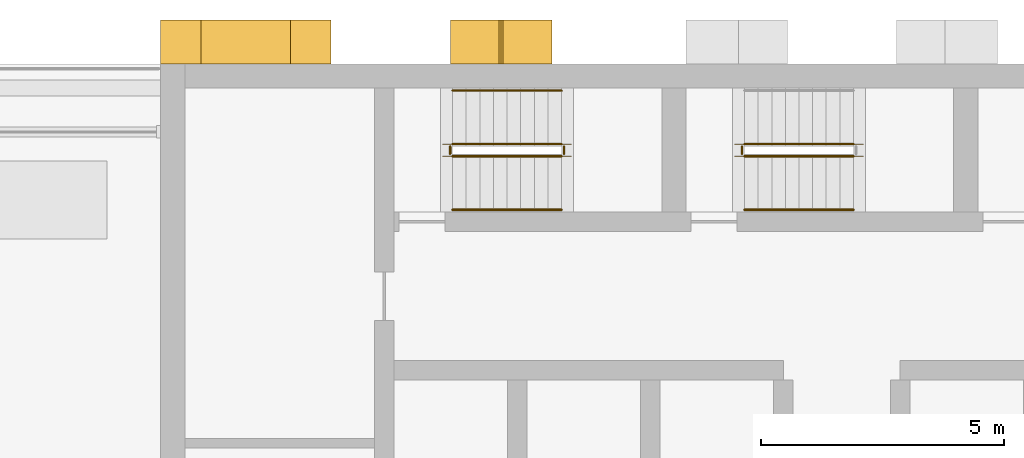
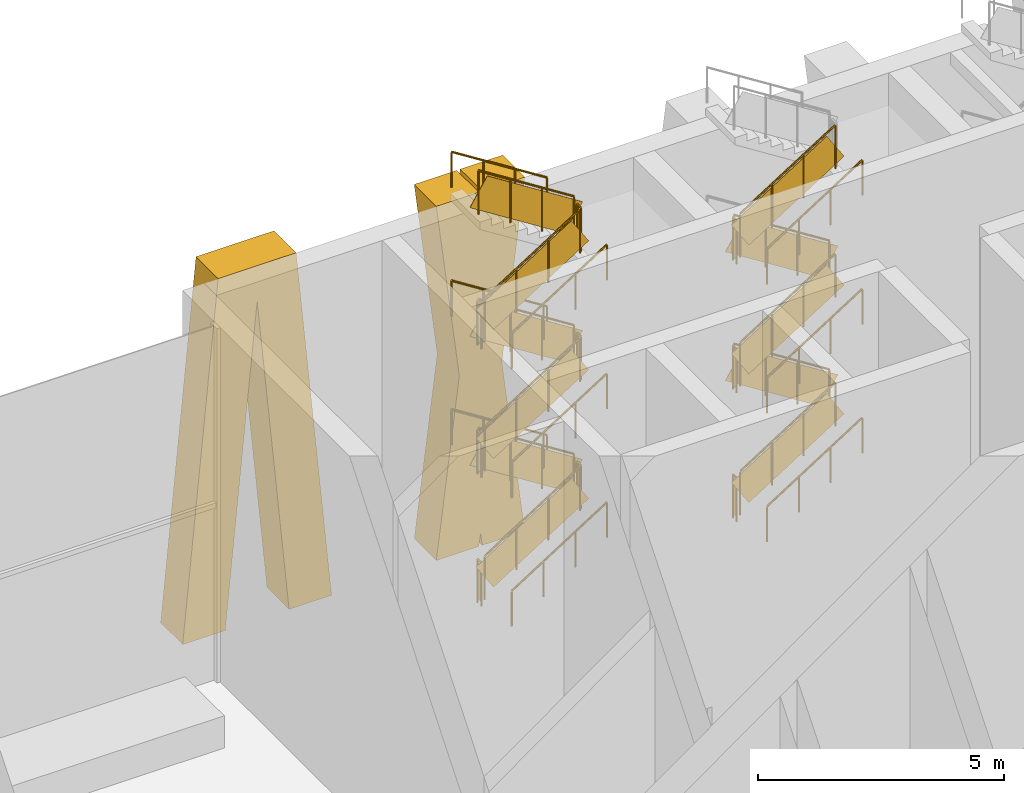
# One storey, part 14 of 16: 29 railings, 2 shading devices.
"""IFC4 building model written with IfcOpenShell, lengths in metres."""

from ifc_helpers import new_model, si_unit, direction, frame, origin, origin_2d, place, context, subcontext, project, spatial, polyline, rectangle, circle, outline, extrude, material, layer, layer_set, type_object, element, save


model = new_model("IFC4")

# Units and contexts
model_context = context("Model", 3, precision=1e-05, world=origin(), true_north=direction((0.0, 1.0)))
body_context = subcontext(model_context, "Body", "Model", "MODEL_VIEW")
ifc_project = project(units=[si_unit("LENGTHUNIT", "METRE"), si_unit("AREAUNIT", "SQUARE_METRE"), si_unit("VOLUMEUNIT", "CUBIC_METRE"), si_unit("PLANEANGLEUNIT", "RADIAN"), si_unit("MASSUNIT", "GRAM", prefix="KILO")], contexts=[model_context])

# Site, building, storey
site_placement = place(None, origin())
site = spatial("IfcSite", under=ifc_project, at=site_placement, CompositionType="ELEMENT")
building_placement = place(site_placement, origin())
building = spatial("IfcBuilding", under=site, at=building_placement, Name="Vidyagriha Tower", CompositionType="ELEMENT")
storey_placement = place(building_placement, frame((0.0, 0.0, 64.0)))
storey = spatial("IfcBuildingStorey", under=building, at=storey_placement, Name="L17", CompositionType="ELEMENT", Elevation=64.0)

# Shading devices
ifc_material_1 = material(Name="Precast concrete C40/50 with brick facing", Category="concrete")
ifc_layer = layer(ifc_material_1, 1.0)
ifc_layer_set = layer_set([ifc_layer], Name="Precast concrete C40/50 with brick facing")
shading_device_type = type_object("IfcShadingDeviceType", Name="Brick-faced rear rib forking 8 degrees", PredefinedType="USERDEFINED", material=ifc_layer_set)
shading_device_1_placement = place(storey_placement, frame((-5.9599609375, 20.449951171875, 0.0), z_axis=(0.0, 0.0, 1.0), x_axis=(-1.0, 0.0, 0.0)))
element("IfcShadingDevice", 1, at=shading_device_1_placement, inside=storey, type_object=shading_device_type, Name="Rear rib fork L17 R08.4a", ObjectType="BLADE FIN", PredefinedType="USERDEFINED", context=body_context, shape_type="SweptSolid", body=[
    extrude(outline(polyline([(1.0, 0.0), (1.0400390625, 0.325927734375), (1.080078125, 0.0), (2.080078125, 0.0), (1.5400390625, 4.39990234375), (2.080078125, 8.800048828125), (1.080078125, 8.800048828125), (1.0400390625, 8.47412109375), (1.0, 8.800048828125), (0.0, 8.800048828125), (0.5400390625, 4.39990234375), (0.0, 0.0), (1.0, 0.0)])), frame((0.0, 0.449951171875, 0.0), z_axis=(0.0, -1.0, 0.0), x_axis=(1.0, 0.0, 0.0)), (0.0, 0.0, 1.0), 0.89990234375),
])
shading_device_2_placement = place(storey_placement, frame((-10.5, 20.449951171875, 0.0), z_axis=(0.0, 0.0, 1.0), x_axis=(-1.0, 0.0, 0.0)))
element("IfcShadingDevice", 2, at=shading_device_2_placement, inside=storey, type_object=shading_device_type, Name="Rear rib fork L17 R08.5a", ObjectType="BLADE FIN", PredefinedType="USERDEFINED", context=body_context, shape_type="SweptSolid", body=[
    extrude(outline(polyline([(1.0, 0.0), (1.75, 7.919921875), (2.5, 0.0), (3.5, 0.0), (2.666748046875, 8.800048828125), (0.833251953125, 8.800048828125), (0.0, 0.0), (1.0, 0.0)])), frame((0.0, 0.449951171875, 0.0), z_axis=(0.0, -1.0, 0.0), x_axis=(1.0, 0.0, 0.0)), (0.0, 0.0, 1.0), 0.89990234375),
])

# Railings
ifc_material_2 = material(Name="Steel ASTM A500 Grade C", Category="steel")
railing_type_1 = type_object("IfcRailingType", Name="Stair guard 1100 mm, steel balustrade", PredefinedType="GUARDRAIL", material=ifc_material_2)
railing_1_placement = place(storey_placement, frame((-8.0, 18.10009765625, 0.177734375)))
element("IfcRailing", 3, at=railing_1_placement, inside=storey, type_object=railing_type_1, Name="L17 ST1 stair guard 1", PredefinedType="GUARDRAIL", context=body_context, shape_type="SweptSolid", body=[
    extrude(circle(Radius=0.02392578125, at=origin_2d()), frame((0.0, 0.0, 1.076171875), z_axis=(0.84418770128, 0.0, 0.536047689118), x_axis=(0.0, 1.0, 0.0)), (0.0, 0.0, 1.0), 2.6533203125),
    extrude(circle(Radius=0.02099609375, at=origin_2d()), origin(), (0.0, 0.0, 1.0), 1.052001953125),
    extrude(circle(Radius=0.02099609375, at=origin_2d()), frame((0.74658203125, 0.0, 0.47412109375)), (0.0, 0.0, 1.0), 1.052001953125),
    extrude(circle(Radius=0.02099609375, at=origin_2d()), frame((1.493408203125, 0.0, 0.9482421875)), (0.0, 0.0, 1.0), 1.052001953125),
    extrude(circle(Radius=0.02099609375, at=origin_2d()), frame((2.239990234375, 0.0, 1.42236328125)), (0.0, 0.0, 1.0), 1.052001953125),
    extrude(rectangle(XDim=0.010009765625, YDim=0.761474609375, at=origin_2d()), frame((0.0, 0.0, 0.551025390625), z_axis=(0.84418770128, 0.0, 0.536047689118), x_axis=(0.0, 1.0, 0.0)), (0.0, 0.0, 1.0), 2.6533203125),
])
railing_2_placement = place(storey_placement, frame((-5.7099609375, 18.14990234375, 1.60009765625)))
element("IfcRailing", 4, at=railing_2_placement, inside=storey, type_object=railing_type_1, Name="L17 ST1 stair guard 2", PredefinedType="GUARDRAIL", context=body_context, shape_type="SweptSolid", body=[
    extrude(circle(Radius=0.02392578125, at=origin_2d()), frame((0.0, 0.0, 1.076171875), z_axis=(0.0, 1.0, 0.0), x_axis=(-1.0, 0.0, 0.0)), (0.0, 0.0, 1.0), 0.150146484375),
    extrude(circle(Radius=0.02099609375, at=origin_2d()), origin(), (0.0, 0.0, 1.0), 1.052001953125),
    extrude(circle(Radius=0.02099609375, at=origin_2d()), frame((0.0, 0.150146484375, 0.0)), (0.0, 0.0, 1.0), 1.052001953125),
    extrude(rectangle(XDim=0.010009765625, YDim=0.902099609375, at=origin_2d()), frame((0.0, 0.0, 0.551025390625), z_axis=(0.0, 1.0, 0.0), x_axis=(-1.0, 0.0, 0.0)), (0.0, 0.0, 1.0), 0.150146484375),
])
railing_3_placement = place(storey_placement, frame((-5.760009765625, 18.35009765625, 1.77783203125)))
element("IfcRailing", 5, at=railing_3_placement, inside=storey, type_object=railing_type_1, Name="L17 ST1 stair guard 3", PredefinedType="GUARDRAIL", context=body_context, shape_type="SweptSolid", body=[
    extrude(circle(Radius=0.02392578125, at=origin_2d()), frame((0.0, 0.0, 1.076171875), z_axis=(-0.8442293374, 0.0, 0.53598211339), x_axis=(0.0, -1.0, 0.0)), (0.0, 0.0, 1.0), 2.6533203125),
    extrude(circle(Radius=0.02099609375, at=origin_2d()), origin(), (0.0, 0.0, 1.0), 1.052001953125),
    extrude(circle(Radius=0.02099609375, at=origin_2d()), frame((-0.74658203125, 0.0, 0.47412109375)), (0.0, 0.0, 1.0), 1.052001953125),
    extrude(circle(Radius=0.02099609375, at=origin_2d()), frame((-1.493408203125, 0.0, 0.947998046875)), (0.0, 0.0, 1.0), 1.052001953125),
    extrude(circle(Radius=0.02099609375, at=origin_2d()), frame((-2.239990234375, 0.0, 1.422119140625)), (0.0, 0.0, 1.0), 1.052001953125),
    extrude(rectangle(XDim=0.010009765625, YDim=0.761474609375, at=origin_2d()), frame((0.0, 0.0, 0.551025390625), z_axis=(-0.8442293374, 0.0, 0.53598211339), x_axis=(0.0, -1.0, 0.0)), (0.0, 0.0, 1.0), 2.6533203125),
])
railing_4_placement = place(storey_placement, frame((-8.050048828125, 18.14990234375, 3.199951171875)))
element("IfcRailing", 6, at=railing_4_placement, inside=storey, type_object=railing_type_1, Name="L17 ST1 stair guard 4", PredefinedType="GUARDRAIL", context=body_context, shape_type="SweptSolid", body=[
    extrude(circle(Radius=0.02392578125, at=origin_2d()), frame((0.0, 0.0, 1.076171875), z_axis=(0.0, 1.0, 0.0), x_axis=(-1.0, 0.0, 0.0)), (0.0, 0.0, 1.0), 0.150146484375),
    extrude(circle(Radius=0.02099609375, at=origin_2d()), origin(), (0.0, 0.0, 1.0), 1.052001953125),
    extrude(circle(Radius=0.02099609375, at=origin_2d()), frame((0.0, 0.150146484375, 0.0)), (0.0, 0.0, 1.0), 1.052001953125),
    extrude(rectangle(XDim=0.010009765625, YDim=0.902099609375, at=origin_2d()), frame((0.0, 0.0, 0.551025390625), z_axis=(0.0, 1.0, 0.0), x_axis=(-1.0, 0.0, 0.0)), (0.0, 0.0, 1.0), 0.150146484375),
])
railing_5_placement = place(storey_placement, frame((-8.0, 18.10009765625, 3.377685546875)))
element("IfcRailing", 7, at=railing_5_placement, inside=storey, type_object=railing_type_1, Name="L17 ST1 stair guard 5", PredefinedType="GUARDRAIL", context=body_context, shape_type="SweptSolid", body=[
    extrude(circle(Radius=0.02392578125, at=origin_2d()), frame((0.0, 0.0, 1.076171875), z_axis=(0.84418770128, 0.0, 0.536047689118), x_axis=(0.0, 1.0, 0.0)), (0.0, 0.0, 1.0), 2.6533203125),
    extrude(circle(Radius=0.02099609375, at=origin_2d()), origin(), (0.0, 0.0, 1.0), 1.052001953125),
    extrude(circle(Radius=0.02099609375, at=origin_2d()), frame((0.74658203125, 0.0, 0.47412109375)), (0.0, 0.0, 1.0), 1.052001953125),
    extrude(circle(Radius=0.02099609375, at=origin_2d()), frame((1.493408203125, 0.0, 0.9482421875)), (0.0, 0.0, 1.0), 1.052001953125),
    extrude(circle(Radius=0.02099609375, at=origin_2d()), frame((2.239990234375, 0.0, 1.42236328125)), (0.0, 0.0, 1.0), 1.052001953125),
    extrude(rectangle(XDim=0.010009765625, YDim=0.761474609375, at=origin_2d()), frame((0.0, 0.0, 0.551025390625), z_axis=(0.84418770128, 0.0, 0.536047689118), x_axis=(0.0, 1.0, 0.0)), (0.0, 0.0, 1.0), 2.6533203125),
])
railing_6_placement = place(storey_placement, frame((-5.7099609375, 18.14990234375, 4.800048828125)))
element("IfcRailing", 8, at=railing_6_placement, inside=storey, type_object=railing_type_1, Name="L17 ST1 stair guard 6", PredefinedType="GUARDRAIL", context=body_context, shape_type="SweptSolid", body=[
    extrude(circle(Radius=0.02392578125, at=origin_2d()), frame((0.0, 0.0, 1.076171875), z_axis=(0.0, 1.0, 0.0), x_axis=(-1.0, 0.0, 0.0)), (0.0, 0.0, 1.0), 0.150146484375),
    extrude(circle(Radius=0.02099609375, at=origin_2d()), origin(), (0.0, 0.0, 1.0), 1.052001953125),
    extrude(circle(Radius=0.02099609375, at=origin_2d()), frame((0.0, 0.150146484375, 0.0)), (0.0, 0.0, 1.0), 1.052001953125),
    extrude(rectangle(XDim=0.010009765625, YDim=0.902099609375, at=origin_2d()), frame((0.0, 0.0, 0.551025390625), z_axis=(0.0, 1.0, 0.0), x_axis=(-1.0, 0.0, 0.0)), (0.0, 0.0, 1.0), 0.150146484375),
])
railing_7_placement = place(storey_placement, frame((-5.760009765625, 18.35009765625, 4.977783203125)))
element("IfcRailing", 9, at=railing_7_placement, inside=storey, type_object=railing_type_1, Name="L17 ST1 stair guard 7", PredefinedType="GUARDRAIL", context=body_context, shape_type="SweptSolid", body=[
    extrude(circle(Radius=0.02392578125, at=origin_2d()), frame((0.0, 0.0, 1.076171875), z_axis=(-0.8442293374, 0.0, 0.53598211339), x_axis=(0.0, -1.0, 0.0)), (0.0, 0.0, 1.0), 2.6533203125),
    extrude(circle(Radius=0.02099609375, at=origin_2d()), origin(), (0.0, 0.0, 1.0), 1.052001953125),
    extrude(circle(Radius=0.02099609375, at=origin_2d()), frame((-0.74658203125, 0.0, 0.47412109375)), (0.0, 0.0, 1.0), 1.052001953125),
    extrude(circle(Radius=0.02099609375, at=origin_2d()), frame((-1.493408203125, 0.0, 0.947998046875)), (0.0, 0.0, 1.0), 1.052001953125),
    extrude(circle(Radius=0.02099609375, at=origin_2d()), frame((-2.239990234375, 0.0, 1.422119140625)), (0.0, 0.0, 1.0), 1.052001953125),
    extrude(rectangle(XDim=0.010009765625, YDim=0.761474609375, at=origin_2d()), frame((0.0, 0.0, 0.551025390625), z_axis=(-0.8442293374, 0.0, 0.53598211339), x_axis=(0.0, -1.0, 0.0)), (0.0, 0.0, 1.0), 2.6533203125),
])
railing_8_placement = place(storey_placement, frame((-8.050048828125, 18.14990234375, 6.39990234375)))
element("IfcRailing", 10, at=railing_8_placement, inside=storey, type_object=railing_type_1, Name="L17 ST1 stair guard 8", PredefinedType="GUARDRAIL", context=body_context, shape_type="SweptSolid", body=[
    extrude(circle(Radius=0.02392578125, at=origin_2d()), frame((0.0, 0.0, 1.076171875), z_axis=(0.0, 1.0, 0.0), x_axis=(-1.0, 0.0, 0.0)), (0.0, 0.0, 1.0), 0.150146484375),
    extrude(circle(Radius=0.02099609375, at=origin_2d()), origin(), (0.0, 0.0, 1.0), 1.052001953125),
    extrude(circle(Radius=0.02099609375, at=origin_2d()), frame((0.0, 0.150146484375, 0.0)), (0.0, 0.0, 1.0), 1.052001953125),
    extrude(rectangle(XDim=0.010009765625, YDim=0.902099609375, at=origin_2d()), frame((0.0, 0.0, 0.551025390625), z_axis=(0.0, 1.0, 0.0), x_axis=(-1.0, 0.0, 0.0)), (0.0, 0.0, 1.0), 0.150146484375),
])
railing_9_placement = place(storey_placement, frame((-8.0, 18.10009765625, 6.577880859375)))
element("IfcRailing", 11, at=railing_9_placement, inside=storey, type_object=railing_type_1, Name="L17 ST1 stair guard 9", PredefinedType="GUARDRAIL", context=body_context, shape_type="SweptSolid", body=[
    extrude(circle(Radius=0.02392578125, at=origin_2d()), frame((0.0, 0.0, 1.076171875), z_axis=(0.8442293374, 0.0, 0.53598211339), x_axis=(0.0, 1.0, 0.0)), (0.0, 0.0, 1.0), 2.6533203125),
    extrude(circle(Radius=0.02099609375, at=origin_2d()), origin(), (0.0, 0.0, 1.0), 1.052001953125),
    extrude(circle(Radius=0.02099609375, at=origin_2d()), frame((0.74658203125, 0.0, 0.47412109375)), (0.0, 0.0, 1.0), 1.052001953125),
    extrude(circle(Radius=0.02099609375, at=origin_2d()), frame((1.493408203125, 0.0, 0.947998046875)), (0.0, 0.0, 1.0), 1.052001953125),
    extrude(circle(Radius=0.02099609375, at=origin_2d()), frame((2.239990234375, 0.0, 1.422119140625)), (0.0, 0.0, 1.0), 1.052001953125),
    extrude(rectangle(XDim=0.010009765625, YDim=0.761474609375, at=origin_2d()), frame((0.0, 0.0, 0.551025390625), z_axis=(0.8442293374, 0.0, 0.53598211339), x_axis=(0.0, 1.0, 0.0)), (0.0, 0.0, 1.0), 2.6533203125),
])
railing_10_placement = place(storey_placement, frame((-5.7099609375, 18.14990234375, 8.0)))
element("IfcRailing", 12, at=railing_10_placement, inside=storey, type_object=railing_type_1, Name="L17 ST1 stair guard 10", PredefinedType="GUARDRAIL", context=body_context, shape_type="SweptSolid", body=[
    extrude(circle(Radius=0.02392578125, at=origin_2d()), frame((0.0, 0.0, 1.076171875), z_axis=(0.0, 1.0, 0.0), x_axis=(-1.0, 0.0, 0.0)), (0.0, 0.0, 1.0), 0.150146484375),
    extrude(circle(Radius=0.02099609375, at=origin_2d()), origin(), (0.0, 0.0, 1.0), 1.052001953125),
    extrude(circle(Radius=0.02099609375, at=origin_2d()), frame((0.0, 0.150146484375, 0.0)), (0.0, 0.0, 1.0), 1.052001953125),
    extrude(rectangle(XDim=0.010009765625, YDim=0.902099609375, at=origin_2d()), frame((0.0, 0.0, 0.551025390625), z_axis=(0.0, 1.0, 0.0), x_axis=(-1.0, 0.0, 0.0)), (0.0, 0.0, 1.0), 0.150146484375),
])
railing_11_placement = place(storey_placement, frame((-5.760009765625, 18.35009765625, 8.177734375)))
element("IfcRailing", 13, at=railing_11_placement, inside=storey, type_object=railing_type_1, Name="L17 ST1 stair guard 11", PredefinedType="GUARDRAIL", context=body_context, shape_type="SweptSolid", body=[
    extrude(circle(Radius=0.02392578125, at=origin_2d()), frame((0.0, 0.0, 1.076171875), z_axis=(-0.84418770128, 0.0, 0.536047689118), x_axis=(0.0, -1.0, 0.0)), (0.0, 0.0, 1.0), 2.6533203125),
    extrude(circle(Radius=0.02099609375, at=origin_2d()), origin(), (0.0, 0.0, 1.0), 1.052001953125),
    extrude(circle(Radius=0.02099609375, at=origin_2d()), frame((-0.74658203125, 0.0, 0.47412109375)), (0.0, 0.0, 1.0), 1.052001953125),
    extrude(circle(Radius=0.02099609375, at=origin_2d()), frame((-1.493408203125, 0.0, 0.9482421875)), (0.0, 0.0, 1.0), 1.052001953125),
    extrude(circle(Radius=0.02099609375, at=origin_2d()), frame((-2.239990234375, 0.0, 1.42236328125)), (0.0, 0.0, 1.0), 1.052001953125),
    extrude(rectangle(XDim=0.010009765625, YDim=0.761474609375, at=origin_2d()), frame((0.0, 0.0, 0.551025390625), z_axis=(-0.84418770128, 0.0, 0.536047689118), x_axis=(0.0, -1.0, 0.0)), (0.0, 0.0, 1.0), 2.6533203125),
])
railing_12_placement = place(storey_placement, frame((-8.050048828125, 18.14990234375, 0.0)))
element("IfcRailing", 14, at=railing_12_placement, inside=storey, type_object=railing_type_1, Name="L17 ST1 stair guard 12", PredefinedType="GUARDRAIL", context=body_context, shape_type="SweptSolid", body=[
    extrude(circle(Radius=0.02392578125, at=origin_2d()), frame((0.0, 0.0, 1.076171875), z_axis=(0.0, 1.0, 0.0), x_axis=(-1.0, 0.0, 0.0)), (0.0, 0.0, 1.0), 0.150146484375),
    extrude(circle(Radius=0.02099609375, at=origin_2d()), origin(), (0.0, 0.0, 1.0), 1.052001953125),
    extrude(circle(Radius=0.02099609375, at=origin_2d()), frame((0.0, 0.150146484375, 0.0)), (0.0, 0.0, 1.0), 1.052001953125),
    extrude(rectangle(XDim=0.010009765625, YDim=0.902099609375, at=origin_2d()), frame((0.0, 0.0, 0.551025390625), z_axis=(0.0, 1.0, 0.0), x_axis=(-1.0, 0.0, 0.0)), (0.0, 0.0, 1.0), 0.150146484375),
])
railing_13_placement = place(storey_placement, frame((-2.0, 18.10009765625, 0.177734375)))
element("IfcRailing", 15, at=railing_13_placement, inside=storey, type_object=railing_type_1, Name="L17 ST2 stair guard 1", PredefinedType="GUARDRAIL", context=body_context, shape_type="SweptSolid", body=[
    extrude(circle(Radius=0.02392578125, at=origin_2d()), frame((0.0, 0.0, 1.076171875), z_axis=(0.84418770128, 0.0, 0.536047689118), x_axis=(0.0, 1.0, 0.0)), (0.0, 0.0, 1.0), 2.6533203125),
    extrude(circle(Radius=0.02099609375, at=origin_2d()), origin(), (0.0, 0.0, 1.0), 1.052001953125),
    extrude(circle(Radius=0.02099609375, at=origin_2d()), frame((0.74658203125, 0.0, 0.47412109375)), (0.0, 0.0, 1.0), 1.052001953125),
    extrude(circle(Radius=0.02099609375, at=origin_2d()), frame((1.493408203125, 0.0, 0.9482421875)), (0.0, 0.0, 1.0), 1.052001953125),
    extrude(circle(Radius=0.02099609375, at=origin_2d()), frame((2.239990234375, 0.0, 1.42236328125)), (0.0, 0.0, 1.0), 1.052001953125),
    extrude(rectangle(XDim=0.010009765625, YDim=0.761474609375, at=origin_2d()), frame((0.0, 0.0, 0.551025390625), z_axis=(0.84418770128, 0.0, 0.536047689118), x_axis=(0.0, 1.0, 0.0)), (0.0, 0.0, 1.0), 2.6533203125),
])
railing_14_placement = place(storey_placement, frame((0.239990234375, 18.35009765625, 1.77783203125)))
element("IfcRailing", 16, at=railing_14_placement, inside=storey, type_object=railing_type_1, Name="L17 ST2 stair guard 3", PredefinedType="GUARDRAIL", context=body_context, shape_type="SweptSolid", body=[
    extrude(circle(Radius=0.02392578125, at=origin_2d()), frame((0.0, 0.0, 1.076171875), z_axis=(-0.8442293374, 0.0, 0.53598211339), x_axis=(0.0, -1.0, 0.0)), (0.0, 0.0, 1.0), 2.6533203125),
    extrude(circle(Radius=0.02099609375, at=origin_2d()), origin(), (0.0, 0.0, 1.0), 1.052001953125),
    extrude(circle(Radius=0.02099609375, at=origin_2d()), frame((-0.74658203125, 0.0, 0.47412109375)), (0.0, 0.0, 1.0), 1.052001953125),
    extrude(circle(Radius=0.02099609375, at=origin_2d()), frame((-1.493408203125, 0.0, 0.947998046875)), (0.0, 0.0, 1.0), 1.052001953125),
    extrude(circle(Radius=0.02099609375, at=origin_2d()), frame((-2.239990234375, 0.0, 1.422119140625)), (0.0, 0.0, 1.0), 1.052001953125),
    extrude(rectangle(XDim=0.010009765625, YDim=0.761474609375, at=origin_2d()), frame((0.0, 0.0, 0.551025390625), z_axis=(-0.8442293374, 0.0, 0.53598211339), x_axis=(0.0, -1.0, 0.0)), (0.0, 0.0, 1.0), 2.6533203125),
])
railing_15_placement = place(storey_placement, frame((-2.050048828125, 18.14990234375, 3.199951171875)))
element("IfcRailing", 17, at=railing_15_placement, inside=storey, type_object=railing_type_1, Name="L17 ST2 stair guard 4", PredefinedType="GUARDRAIL", context=body_context, shape_type="SweptSolid", body=[
    extrude(circle(Radius=0.02392578125, at=origin_2d()), frame((0.0, 0.0, 1.076171875), z_axis=(0.0, 1.0, 0.0), x_axis=(-1.0, 0.0, 0.0)), (0.0, 0.0, 1.0), 0.150146484375),
    extrude(circle(Radius=0.02099609375, at=origin_2d()), origin(), (0.0, 0.0, 1.0), 1.052001953125),
    extrude(circle(Radius=0.02099609375, at=origin_2d()), frame((0.0, 0.150146484375, 0.0)), (0.0, 0.0, 1.0), 1.052001953125),
    extrude(rectangle(XDim=0.010009765625, YDim=0.902099609375, at=origin_2d()), frame((0.0, 0.0, 0.551025390625), z_axis=(0.0, 1.0, 0.0), x_axis=(-1.0, 0.0, 0.0)), (0.0, 0.0, 1.0), 0.150146484375),
])
railing_16_placement = place(storey_placement, frame((-2.0, 18.10009765625, 3.377685546875)))
element("IfcRailing", 18, at=railing_16_placement, inside=storey, type_object=railing_type_1, Name="L17 ST2 stair guard 5", PredefinedType="GUARDRAIL", context=body_context, shape_type="SweptSolid", body=[
    extrude(circle(Radius=0.02392578125, at=origin_2d()), frame((0.0, 0.0, 1.076171875), z_axis=(0.84418770128, 0.0, 0.536047689118), x_axis=(0.0, 1.0, 0.0)), (0.0, 0.0, 1.0), 2.6533203125),
    extrude(circle(Radius=0.02099609375, at=origin_2d()), origin(), (0.0, 0.0, 1.0), 1.052001953125),
    extrude(circle(Radius=0.02099609375, at=origin_2d()), frame((0.74658203125, 0.0, 0.47412109375)), (0.0, 0.0, 1.0), 1.052001953125),
    extrude(circle(Radius=0.02099609375, at=origin_2d()), frame((1.493408203125, 0.0, 0.9482421875)), (0.0, 0.0, 1.0), 1.052001953125),
    extrude(circle(Radius=0.02099609375, at=origin_2d()), frame((2.239990234375, 0.0, 1.42236328125)), (0.0, 0.0, 1.0), 1.052001953125),
    extrude(rectangle(XDim=0.010009765625, YDim=0.761474609375, at=origin_2d()), frame((0.0, 0.0, 0.551025390625), z_axis=(0.84418770128, 0.0, 0.536047689118), x_axis=(0.0, 1.0, 0.0)), (0.0, 0.0, 1.0), 2.6533203125),
])
railing_17_placement = place(storey_placement, frame((0.239990234375, 18.35009765625, 4.977783203125)))
element("IfcRailing", 19, at=railing_17_placement, inside=storey, type_object=railing_type_1, Name="L17 ST2 stair guard 7", PredefinedType="GUARDRAIL", context=body_context, shape_type="SweptSolid", body=[
    extrude(circle(Radius=0.02392578125, at=origin_2d()), frame((0.0, 0.0, 1.076171875), z_axis=(-0.8442293374, 0.0, 0.53598211339), x_axis=(0.0, -1.0, 0.0)), (0.0, 0.0, 1.0), 2.6533203125),
    extrude(circle(Radius=0.02099609375, at=origin_2d()), origin(), (0.0, 0.0, 1.0), 1.052001953125),
    extrude(circle(Radius=0.02099609375, at=origin_2d()), frame((-0.74658203125, 0.0, 0.47412109375)), (0.0, 0.0, 1.0), 1.052001953125),
    extrude(circle(Radius=0.02099609375, at=origin_2d()), frame((-1.493408203125, 0.0, 0.947998046875)), (0.0, 0.0, 1.0), 1.052001953125),
    extrude(circle(Radius=0.02099609375, at=origin_2d()), frame((-2.239990234375, 0.0, 1.422119140625)), (0.0, 0.0, 1.0), 1.052001953125),
    extrude(rectangle(XDim=0.010009765625, YDim=0.761474609375, at=origin_2d()), frame((0.0, 0.0, 0.551025390625), z_axis=(-0.8442293374, 0.0, 0.53598211339), x_axis=(0.0, -1.0, 0.0)), (0.0, 0.0, 1.0), 2.6533203125),
])
railing_18_placement = place(storey_placement, frame((-2.050048828125, 18.14990234375, 6.39990234375)))
element("IfcRailing", 20, at=railing_18_placement, inside=storey, type_object=railing_type_1, Name="L17 ST2 stair guard 8", PredefinedType="GUARDRAIL", context=body_context, shape_type="SweptSolid", body=[
    extrude(circle(Radius=0.02392578125, at=origin_2d()), frame((0.0, 0.0, 1.076171875), z_axis=(0.0, 1.0, 0.0), x_axis=(-1.0, 0.0, 0.0)), (0.0, 0.0, 1.0), 0.150146484375),
    extrude(circle(Radius=0.02099609375, at=origin_2d()), origin(), (0.0, 0.0, 1.0), 1.052001953125),
    extrude(circle(Radius=0.02099609375, at=origin_2d()), frame((0.0, 0.150146484375, 0.0)), (0.0, 0.0, 1.0), 1.052001953125),
    extrude(rectangle(XDim=0.010009765625, YDim=0.902099609375, at=origin_2d()), frame((0.0, 0.0, 0.551025390625), z_axis=(0.0, 1.0, 0.0), x_axis=(-1.0, 0.0, 0.0)), (0.0, 0.0, 1.0), 0.150146484375),
])
railing_19_placement = place(storey_placement, frame((-2.0, 18.10009765625, 6.577880859375)))
element("IfcRailing", 21, at=railing_19_placement, inside=storey, type_object=railing_type_1, Name="L17 ST2 stair guard 9", PredefinedType="GUARDRAIL", context=body_context, shape_type="SweptSolid", body=[
    extrude(circle(Radius=0.02392578125, at=origin_2d()), frame((0.0, 0.0, 1.076171875), z_axis=(0.8442293374, 0.0, 0.53598211339), x_axis=(0.0, 1.0, 0.0)), (0.0, 0.0, 1.0), 2.6533203125),
    extrude(circle(Radius=0.02099609375, at=origin_2d()), origin(), (0.0, 0.0, 1.0), 1.052001953125),
    extrude(circle(Radius=0.02099609375, at=origin_2d()), frame((0.74658203125, 0.0, 0.47412109375)), (0.0, 0.0, 1.0), 1.052001953125),
    extrude(circle(Radius=0.02099609375, at=origin_2d()), frame((1.493408203125, 0.0, 0.947998046875)), (0.0, 0.0, 1.0), 1.052001953125),
    extrude(circle(Radius=0.02099609375, at=origin_2d()), frame((2.239990234375, 0.0, 1.422119140625)), (0.0, 0.0, 1.0), 1.052001953125),
    extrude(rectangle(XDim=0.010009765625, YDim=0.761474609375, at=origin_2d()), frame((0.0, 0.0, 0.551025390625), z_axis=(0.8442293374, 0.0, 0.53598211339), x_axis=(0.0, 1.0, 0.0)), (0.0, 0.0, 1.0), 2.6533203125),
])
railing_20_placement = place(storey_placement, frame((-2.050048828125, 18.14990234375, 0.0)))
element("IfcRailing", 22, at=railing_20_placement, inside=storey, type_object=railing_type_1, Name="L17 ST2 stair guard 12", PredefinedType="GUARDRAIL", context=body_context, shape_type="SweptSolid", body=[
    extrude(circle(Radius=0.02392578125, at=origin_2d()), frame((0.0, 0.0, 1.076171875), z_axis=(0.0, 1.0, 0.0), x_axis=(-1.0, 0.0, 0.0)), (0.0, 0.0, 1.0), 0.150146484375),
    extrude(circle(Radius=0.02099609375, at=origin_2d()), origin(), (0.0, 0.0, 1.0), 1.052001953125),
    extrude(circle(Radius=0.02099609375, at=origin_2d()), frame((0.0, 0.150146484375, 0.0)), (0.0, 0.0, 1.0), 1.052001953125),
    extrude(rectangle(XDim=0.010009765625, YDim=0.902099609375, at=origin_2d()), frame((0.0, 0.0, 0.551025390625), z_axis=(0.0, 1.0, 0.0), x_axis=(-1.0, 0.0, 0.0)), (0.0, 0.0, 1.0), 0.150146484375),
])
ifc_material_3 = material(Name="Steel ASTM A500 Grade C", Category="steel")
railing_type_2 = type_object("IfcRailingType", Name="Stair handrail 900 mm, steel", PredefinedType="HANDRAIL", material=ifc_material_3)
railing_21_placement = place(storey_placement, frame((-8.0, 17.0, 0.177734375)))
element("IfcRailing", 23, at=railing_21_placement, inside=storey, type_object=railing_type_2, Name="L17 ST1 stair handrail 1", PredefinedType="HANDRAIL", context=body_context, shape_type="SweptSolid", body=[
    extrude(circle(Radius=0.02392578125, at=origin_2d()), frame((0.0, 0.0, 0.8759765625), z_axis=(0.84418770128, 0.0, 0.536047689118), x_axis=(0.0, 1.0, 0.0)), (0.0, 0.0, 1.0), 2.6533203125),
    extrude(circle(Radius=0.02099609375, at=origin_2d()), origin(), (0.0, 0.0, 1.0), 0.851806640625),
    extrude(circle(Radius=0.02099609375, at=origin_2d()), frame((0.74658203125, 0.0, 0.47412109375)), (0.0, 0.0, 1.0), 0.851806640625),
    extrude(circle(Radius=0.02099609375, at=origin_2d()), frame((1.493408203125, 0.0, 0.9482421875)), (0.0, 0.0, 1.0), 0.851806640625),
    extrude(circle(Radius=0.02099609375, at=origin_2d()), frame((2.239990234375, 0.0, 1.42236328125)), (0.0, 0.0, 1.0), 0.851806640625),
])
railing_22_placement = place(storey_placement, frame((-5.760009765625, 19.449951171875, 1.77783203125)))
element("IfcRailing", 24, at=railing_22_placement, inside=storey, type_object=railing_type_2, Name="L17 ST1 stair handrail 2", PredefinedType="HANDRAIL", context=body_context, shape_type="SweptSolid", body=[
    extrude(circle(Radius=0.02392578125, at=origin_2d()), frame((0.0, 0.0, 0.8759765625), z_axis=(-0.8442293374, 0.0, 0.53598211339), x_axis=(0.0, -1.0, 0.0)), (0.0, 0.0, 1.0), 2.6533203125),
    extrude(circle(Radius=0.02099609375, at=origin_2d()), origin(), (0.0, 0.0, 1.0), 0.851806640625),
    extrude(circle(Radius=0.02099609375, at=origin_2d()), frame((-0.74658203125, 0.0, 0.47412109375)), (0.0, 0.0, 1.0), 0.851806640625),
    extrude(circle(Radius=0.02099609375, at=origin_2d()), frame((-1.493408203125, 0.0, 0.947998046875)), (0.0, 0.0, 1.0), 0.851806640625),
    extrude(circle(Radius=0.02099609375, at=origin_2d()), frame((-2.239990234375, 0.0, 1.422119140625)), (0.0, 0.0, 1.0), 0.851806640625),
])
railing_23_placement = place(storey_placement, frame((-8.0, 17.0, 3.377685546875)))
element("IfcRailing", 25, at=railing_23_placement, inside=storey, type_object=railing_type_2, Name="L17 ST1 stair handrail 3", PredefinedType="HANDRAIL", context=body_context, shape_type="SweptSolid", body=[
    extrude(circle(Radius=0.02392578125, at=origin_2d()), frame((0.0, 0.0, 0.8759765625), z_axis=(0.84418770128, 0.0, 0.536047689118), x_axis=(0.0, 1.0, 0.0)), (0.0, 0.0, 1.0), 2.6533203125),
    extrude(circle(Radius=0.02099609375, at=origin_2d()), origin(), (0.0, 0.0, 1.0), 0.851806640625),
    extrude(circle(Radius=0.02099609375, at=origin_2d()), frame((0.74658203125, 0.0, 0.47412109375)), (0.0, 0.0, 1.0), 0.851806640625),
    extrude(circle(Radius=0.02099609375, at=origin_2d()), frame((1.493408203125, 0.0, 0.9482421875)), (0.0, 0.0, 1.0), 0.851806640625),
    extrude(circle(Radius=0.02099609375, at=origin_2d()), frame((2.239990234375, 0.0, 1.42236328125)), (0.0, 0.0, 1.0), 0.851806640625),
])
railing_24_placement = place(storey_placement, frame((-5.760009765625, 19.449951171875, 4.977783203125)))
element("IfcRailing", 26, at=railing_24_placement, inside=storey, type_object=railing_type_2, Name="L17 ST1 stair handrail 4", PredefinedType="HANDRAIL", context=body_context, shape_type="SweptSolid", body=[
    extrude(circle(Radius=0.02392578125, at=origin_2d()), frame((0.0, 0.0, 0.8759765625), z_axis=(-0.8442293374, 0.0, 0.53598211339), x_axis=(0.0, -1.0, 0.0)), (0.0, 0.0, 1.0), 2.6533203125),
    extrude(circle(Radius=0.02099609375, at=origin_2d()), origin(), (0.0, 0.0, 1.0), 0.851806640625),
    extrude(circle(Radius=0.02099609375, at=origin_2d()), frame((-0.74658203125, 0.0, 0.47412109375)), (0.0, 0.0, 1.0), 0.851806640625),
    extrude(circle(Radius=0.02099609375, at=origin_2d()), frame((-1.493408203125, 0.0, 0.947998046875)), (0.0, 0.0, 1.0), 0.851806640625),
    extrude(circle(Radius=0.02099609375, at=origin_2d()), frame((-2.239990234375, 0.0, 1.422119140625)), (0.0, 0.0, 1.0), 0.851806640625),
])
railing_25_placement = place(storey_placement, frame((-8.0, 17.0, 6.577880859375)))
element("IfcRailing", 27, at=railing_25_placement, inside=storey, type_object=railing_type_2, Name="L17 ST1 stair handrail 5", PredefinedType="HANDRAIL", context=body_context, shape_type="SweptSolid", body=[
    extrude(circle(Radius=0.02392578125, at=origin_2d()), frame((0.0, 0.0, 0.8759765625), z_axis=(0.8442293374, 0.0, 0.53598211339), x_axis=(0.0, 1.0, 0.0)), (0.0, 0.0, 1.0), 2.6533203125),
    extrude(circle(Radius=0.02099609375, at=origin_2d()), origin(), (0.0, 0.0, 1.0), 0.851806640625),
    extrude(circle(Radius=0.02099609375, at=origin_2d()), frame((0.74658203125, 0.0, 0.47412109375)), (0.0, 0.0, 1.0), 0.851806640625),
    extrude(circle(Radius=0.02099609375, at=origin_2d()), frame((1.493408203125, 0.0, 0.947998046875)), (0.0, 0.0, 1.0), 0.851806640625),
    extrude(circle(Radius=0.02099609375, at=origin_2d()), frame((2.239990234375, 0.0, 1.422119140625)), (0.0, 0.0, 1.0), 0.851806640625),
])
railing_26_placement = place(storey_placement, frame((-5.760009765625, 19.449951171875, 8.177734375)))
element("IfcRailing", 28, at=railing_26_placement, inside=storey, type_object=railing_type_2, Name="L17 ST1 stair handrail 6", PredefinedType="HANDRAIL", context=body_context, shape_type="SweptSolid", body=[
    extrude(circle(Radius=0.02392578125, at=origin_2d()), frame((0.0, 0.0, 0.8759765625), z_axis=(-0.84418770128, 0.0, 0.536047689118), x_axis=(0.0, -1.0, 0.0)), (0.0, 0.0, 1.0), 2.6533203125),
    extrude(circle(Radius=0.02099609375, at=origin_2d()), origin(), (0.0, 0.0, 1.0), 0.851806640625),
    extrude(circle(Radius=0.02099609375, at=origin_2d()), frame((-0.74658203125, 0.0, 0.47412109375)), (0.0, 0.0, 1.0), 0.851806640625),
    extrude(circle(Radius=0.02099609375, at=origin_2d()), frame((-1.493408203125, 0.0, 0.9482421875)), (0.0, 0.0, 1.0), 0.851806640625),
    extrude(circle(Radius=0.02099609375, at=origin_2d()), frame((-2.239990234375, 0.0, 1.42236328125)), (0.0, 0.0, 1.0), 0.851806640625),
])
for number, where, name in (
    (29, (-2.0, 17.0, 0.177734375), "L17 ST2 stair handrail 1"),
    (30, (-2.0, 17.0, 3.377685546875), "L17 ST2 stair handrail 3"),
):
    element("IfcRailing", number, at=place(storey_placement, frame(where)), inside=storey, type_object=railing_type_2, Name=name, PredefinedType="HANDRAIL", context=body_context, shape_type="SweptSolid", body=[
        extrude(circle(Radius=0.02392578125, at=origin_2d()), frame((0.0, 0.0, 0.8759765625), z_axis=(0.84418770128, 0.0, 0.536047689118), x_axis=(0.0, 1.0, 0.0)), (0.0, 0.0, 1.0), 2.6533203125),
        extrude(circle(Radius=0.02099609375, at=origin_2d()), origin(), (0.0, 0.0, 1.0), 0.851806640625),
        extrude(circle(Radius=0.02099609375, at=origin_2d()), frame((0.74658203125, 0.0, 0.47412109375)), (0.0, 0.0, 1.0), 0.851806640625),
        extrude(circle(Radius=0.02099609375, at=origin_2d()), frame((1.493408203125, 0.0, 0.9482421875)), (0.0, 0.0, 1.0), 0.851806640625),
        extrude(circle(Radius=0.02099609375, at=origin_2d()), frame((2.239990234375, 0.0, 1.42236328125)), (0.0, 0.0, 1.0), 0.851806640625),
    ])
railing_27_placement = place(storey_placement, frame((-2.0, 17.0, 6.577880859375)))
element("IfcRailing", 31, at=railing_27_placement, inside=storey, type_object=railing_type_2, Name="L17 ST2 stair handrail 5", PredefinedType="HANDRAIL", context=body_context, shape_type="SweptSolid", body=[
    extrude(circle(Radius=0.02392578125, at=origin_2d()), frame((0.0, 0.0, 0.8759765625), z_axis=(0.8442293374, 0.0, 0.53598211339), x_axis=(0.0, 1.0, 0.0)), (0.0, 0.0, 1.0), 2.6533203125),
    extrude(circle(Radius=0.02099609375, at=origin_2d()), origin(), (0.0, 0.0, 1.0), 0.851806640625),
    extrude(circle(Radius=0.02099609375, at=origin_2d()), frame((0.74658203125, 0.0, 0.47412109375)), (0.0, 0.0, 1.0), 0.851806640625),
    extrude(circle(Radius=0.02099609375, at=origin_2d()), frame((1.493408203125, 0.0, 0.947998046875)), (0.0, 0.0, 1.0), 0.851806640625),
    extrude(circle(Radius=0.02099609375, at=origin_2d()), frame((2.239990234375, 0.0, 1.422119140625)), (0.0, 0.0, 1.0), 0.851806640625),
])

save(model, "model.ifc")
